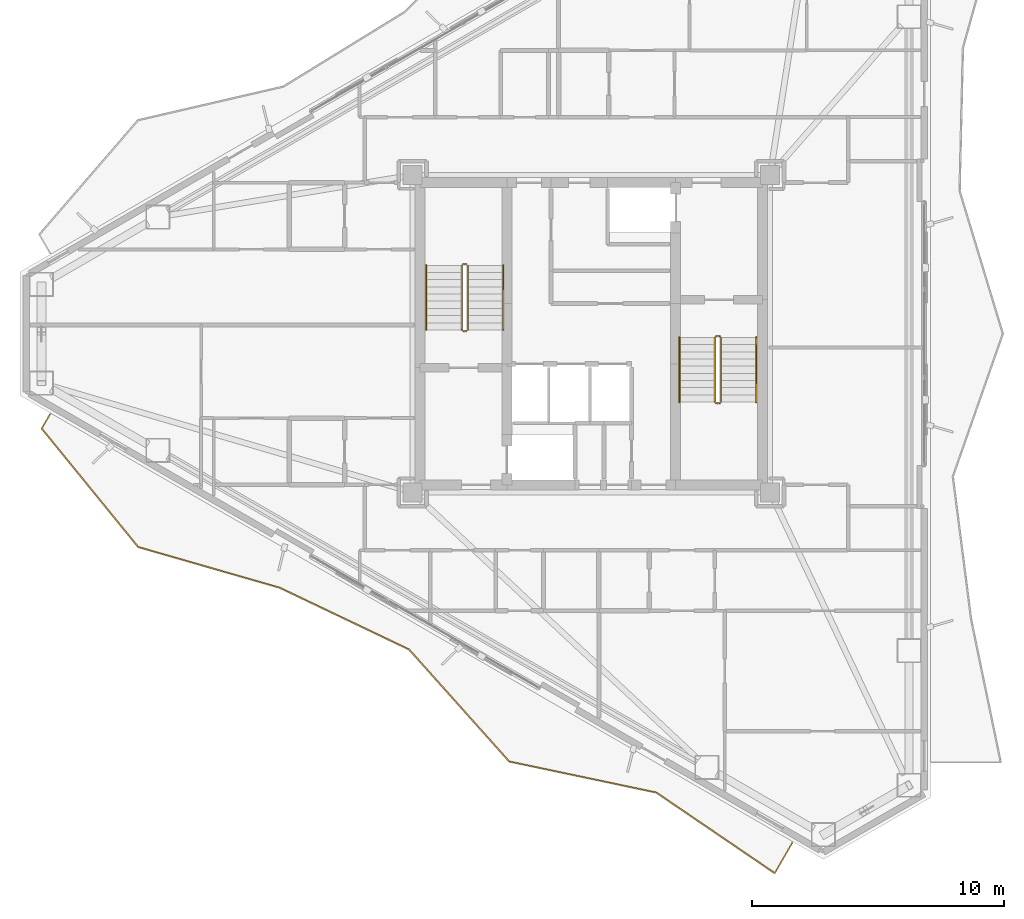
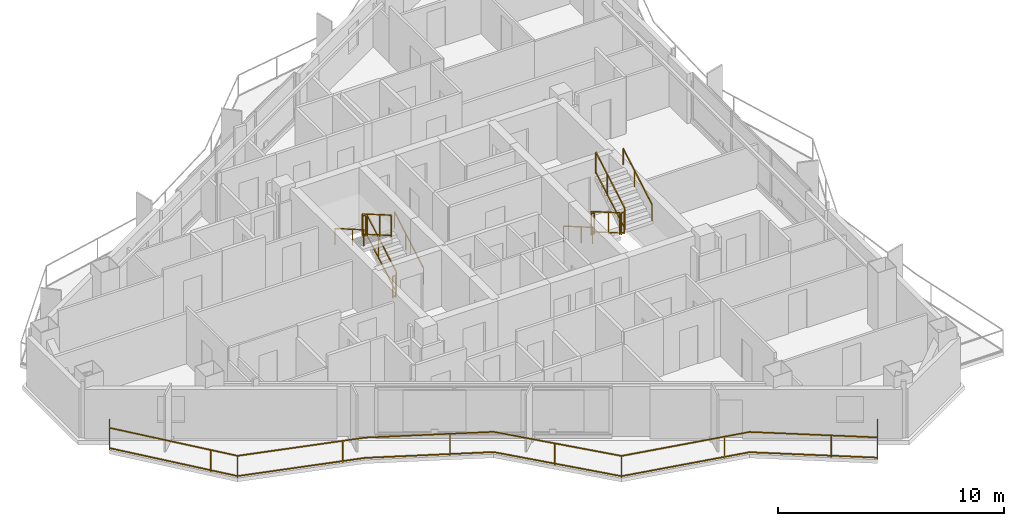
# One storey, part 18 of 19: 13 railings.
"""IFC4 building model written with IfcOpenShell, lengths in metres."""

from ifc_helpers import new_model, si_unit, direction, frame, origin, origin_2d, place, context, subcontext, project, spatial, rectangle, extrude, material, type_object, element, save


model = new_model("IFC4")

# Units and contexts
model_context = context("Model", 3, precision=1e-05, world=origin(), true_north=direction((0.0, 1.0)))
body_context = subcontext(model_context, "Body", "Model", "MODEL_VIEW")
ifc_project = project(units=[si_unit("LENGTHUNIT", "METRE"), si_unit("AREAUNIT", "SQUARE_METRE"), si_unit("VOLUMEUNIT", "CUBIC_METRE"), si_unit("PLANEANGLEUNIT", "RADIAN"), si_unit("MASSUNIT", "GRAM", prefix="KILO")], contexts=[model_context])

# Site, building, storey
site_placement = place(None, origin())
site = spatial("IfcSite", under=ifc_project, at=site_placement, CompositionType="ELEMENT")
building_placement = place(site_placement, origin())
building = spatial("IfcBuilding", under=site, at=building_placement, Name="Mersakhor Tower and Convention Hall", CompositionType="ELEMENT")
storey_placement = place(building_placement, frame((0.0, 0.0, 141.0)))
storey = spatial("IfcBuildingStorey", under=building, at=storey_placement, Name="L39", CompositionType="ELEMENT", Elevation=141.0)

# Railings
ifc_material_1 = material(Name="Powder-coated galvanised steel and laminated glass balustrade", Category="steel")
railing_type_1 = type_object("IfcRailingType", Name="RL-BAL-1200", PredefinedType="BALUSTRADE", material=ifc_material_1)
railing_1_placement = place(storey_placement, frame((7.497802734375, 23.5537109375, 0.0)))
element("IfcRailing", 1, at=railing_1_placement, inside=storey, type_object=railing_type_1, Name="L39 Sinusoidal Balcony Balustrade F3", PredefinedType="BALUSTRADE", context=body_context, shape_type="SweptSolid", body=[
    extrude(rectangle(XDim=0.048095703125, YDim=0.048095703125, at=origin_2d()), frame((0.0, 0.0, 1.17578125), z_axis=(-0.50017749597, -0.865922902183, 0.0), x_axis=(0.865922902183, -0.50017749597, 0.0)), (0.0, 0.0, 1.0), 0.650146484375),
    extrude(rectangle(XDim=0.048095703125, YDim=0.048095703125, at=origin_2d()), frame((0.0, 0.0, 0.080078125), z_axis=(-0.50017749597, -0.865922902183, 0.0), x_axis=(0.865922902183, -0.50017749597, 0.0)), (0.0, 0.0, 1.0), 0.650146484375),
    extrude(rectangle(XDim=0.048095703125, YDim=0.048095703125, at=origin_2d()), frame((-0.3251953125, -0.56298828125, 1.17578125), z_axis=(0.631418744754, -0.775442047334, 0.0), x_axis=(0.775442047334, 0.631418744754, 0.0)), (0.0, 0.0, 1.0), 6.072021484375),
    extrude(rectangle(XDim=0.048095703125, YDim=0.048095703125, at=origin_2d()), frame((-0.3251953125, -0.56298828125, 0.080078125), z_axis=(0.631418744754, -0.775442047334, 0.0), x_axis=(0.775442047334, 0.631418744754, 0.0)), (0.0, 0.0, 1.0), 6.072021484375),
    extrude(rectangle(XDim=0.048095703125, YDim=0.048095703125, at=origin_2d()), frame((3.5087890625, -5.271484375, 1.17578125), z_axis=(0.961033951293, -0.276430360963, 0.0), x_axis=(0.276430360963, 0.961033951293, 0.0)), (0.0, 0.0, 1.0), 5.8466796875),
    extrude(rectangle(XDim=0.048095703125, YDim=0.048095703125, at=origin_2d()), frame((3.5087890625, -5.271484375, 0.080078125), z_axis=(0.961033951293, -0.276430360963, 0.0), x_axis=(0.276430360963, 0.961033951293, 0.0)), (0.0, 0.0, 1.0), 5.8466796875),
    extrude(rectangle(XDim=0.048095703125, YDim=0.048095703125, at=origin_2d()), frame((9.127685546875, -6.8876953125, 1.17578125), z_axis=(0.902576503077, -0.430529506647, 0.0), x_axis=(0.430529506647, 0.902576503077, 0.0)), (0.0, 0.0, 1.0), 5.692138671875),
    extrude(rectangle(XDim=0.048095703125, YDim=0.048095703125, at=origin_2d()), frame((9.127685546875, -6.8876953125, 0.080078125), z_axis=(0.902576503077, -0.430529506647, 0.0), x_axis=(0.430529506647, 0.902576503077, 0.0)), (0.0, 0.0, 1.0), 5.692138671875),
    extrude(rectangle(XDim=0.048095703125, YDim=0.048095703125, at=origin_2d()), frame((14.265380859375, -9.33837890625, 1.17578125), z_axis=(0.666563043727, -0.745448662711, 0.0), x_axis=(0.745448662711, 0.666563043727, 0.0)), (0.0, 0.0, 1.0), 5.97314453125),
    extrude(rectangle(XDim=0.048095703125, YDim=0.048095703125, at=origin_2d()), frame((14.265380859375, -9.33837890625, 0.080078125), z_axis=(0.666563043727, -0.745448662711, 0.0), x_axis=(0.745448662711, 0.666563043727, 0.0)), (0.0, 0.0, 1.0), 5.97314453125),
    extrude(rectangle(XDim=0.048095703125, YDim=0.048095703125, at=origin_2d()), frame((18.246826171875, -13.791015625, 1.17578125), z_axis=(0.978474216071, -0.206369107389, 0.0), x_axis=(0.206369107389, 0.978474216071, 0.0)), (0.0, 0.0, 1.0), 5.969482421875),
    extrude(rectangle(XDim=0.048095703125, YDim=0.048095703125, at=origin_2d()), frame((18.246826171875, -13.791015625, 0.080078125), z_axis=(0.978474216071, -0.206369107389, 0.0), x_axis=(0.206369107389, 0.978474216071, 0.0)), (0.0, 0.0, 1.0), 5.969482421875),
    extrude(rectangle(XDim=0.048095703125, YDim=0.048095703125, at=origin_2d()), frame((24.087890625, -15.02294921875, 1.17578125), z_axis=(0.826711771249, -0.562625672431, 0.0), x_axis=(0.562625672431, 0.826711771249, 0.0)), (0.0, 0.0, 1.0), 5.690185546875),
    extrude(rectangle(XDim=0.048095703125, YDim=0.048095703125, at=origin_2d()), frame((24.087890625, -15.02294921875, 0.080078125), z_axis=(0.826711771249, -0.562625672431, 0.0), x_axis=(0.562625672431, 0.826711771249, 0.0)), (0.0, 0.0, 1.0), 5.690185546875),
    extrude(rectangle(XDim=0.048095703125, YDim=0.048095703125, at=origin_2d()), frame((28.7919921875, -18.224365234375, 1.17578125), z_axis=(0.499925626596, 0.866068339032, 0.0), x_axis=(-0.866068339032, 0.499925626596, 0.0)), (0.0, 0.0, 1.0), 1.386962890625),
    extrude(rectangle(XDim=0.048095703125, YDim=0.048095703125, at=origin_2d()), frame((28.7919921875, -18.224365234375, 0.080078125), z_axis=(0.499925626596, 0.866068339032, 0.0), x_axis=(-0.866068339032, 0.499925626596, 0.0)), (0.0, 0.0, 1.0), 1.386962890625),
    extrude(rectangle(XDim=0.0419921875, YDim=0.0419921875, at=origin_2d()), origin(), (0.0, 0.0, 1.0), 1.15185546875),
    extrude(rectangle(XDim=0.0419921875, YDim=0.0419921875, at=origin_2d()), frame((-0.3251953125, -0.56298828125, 0.0)), (0.0, 0.0, 1.0), 1.15185546875),
    extrude(rectangle(XDim=0.0419921875, YDim=0.0419921875, at=origin_2d()), frame((2.70556640625, -4.28515625, 0.0)), (0.0, 0.0, 1.0), 1.15185546875),
    extrude(rectangle(XDim=0.0419921875, YDim=0.0419921875, at=origin_2d()), frame((3.5087890625, -5.271484375, 0.0)), (0.0, 0.0, 1.0), 1.15185546875),
    extrude(rectangle(XDim=0.0419921875, YDim=0.0419921875, at=origin_2d()), frame((8.121826171875, -6.598388671875, 0.0)), (0.0, 0.0, 1.0), 1.15185546875),
    extrude(rectangle(XDim=0.0419921875, YDim=0.0419921875, at=origin_2d()), frame((12.515380859375, -8.503662109375, 0.0)), (0.0, 0.0, 1.0), 1.15185546875),
    extrude(rectangle(XDim=0.0419921875, YDim=0.0419921875, at=origin_2d()), frame((16.17236328125, -11.47119140625, 0.0)), (0.0, 0.0, 1.0), 1.15185546875),
    extrude(rectangle(XDim=0.0419921875, YDim=0.0419921875, at=origin_2d()), frame((18.246826171875, -13.791015625, 0.0)), (0.0, 0.0, 1.0), 1.15185546875),
    extrude(rectangle(XDim=0.0419921875, YDim=0.0419921875, at=origin_2d()), frame((22.943603515625, -14.781494140625, 0.0)), (0.0, 0.0, 1.0), 1.15185546875),
    extrude(rectangle(XDim=0.0419921875, YDim=0.0419921875, at=origin_2d()), frame((27.089111328125, -17.0654296875, 0.0)), (0.0, 0.0, 1.0), 1.15185546875),
    extrude(rectangle(XDim=0.0419921875, YDim=0.0419921875, at=origin_2d()), frame((28.7919921875, -18.224365234375, 0.0)), (0.0, 0.0, 1.0), 1.15185546875),
    extrude(rectangle(XDim=0.0419921875, YDim=0.0419921875, at=origin_2d()), frame((29.4853515625, -17.023193359375, 0.0)), (0.0, 0.0, 1.0), 1.15185546875),
])
ifc_material_2 = material(Name="Brushed stainless steel handrail", Category="steel")
railing_type_2 = type_object("IfcRailingType", Name="RL-HR-900", PredefinedType="HANDRAIL", material=ifc_material_2)
railing_2_placement = place(storey_placement, frame((25.5, 26.89990234375, 0.1650390625)))
element("IfcRailing", 2, at=railing_2_placement, inside=storey, type_object=railing_type_2, Name="L39 ST-1 stair handrail 1", PredefinedType="HANDRAIL", context=body_context, shape_type="SweptSolid", body=[
    extrude(rectangle(XDim=0.048095703125, YDim=0.048095703125, at=origin_2d()), frame((0.0, 0.0, 0.8759765625), z_axis=(0.0, 0.865461999751, 0.500974577186), x_axis=(-1.0, 0.0, 0.0)), (0.0, 0.0, 1.0), 2.9638671875),
    extrude(rectangle(XDim=0.0419921875, YDim=0.0419921875, at=origin_2d()), origin(), (0.0, 0.0, 1.0), 0.851806640625),
    extrude(rectangle(XDim=0.0419921875, YDim=0.0419921875, at=origin_2d()), frame((0.0, 1.557861328125, 0.90185546875)), (0.0, 0.0, 1.0), 0.851806640625),
    extrude(rectangle(XDim=0.0419921875, YDim=0.0419921875, at=origin_2d()), frame((0.0, 2.565185546875, 1.48486328125)), (0.0, 0.0, 1.0), 0.851806640625),
])
railing_3_placement = place(storey_placement, frame((22.449951171875, 29.465087890625, 1.81494140625)))
element("IfcRailing", 3, at=railing_3_placement, inside=storey, type_object=railing_type_2, Name="L39 ST-1 stair handrail 2", PredefinedType="HANDRAIL", context=body_context, shape_type="SweptSolid", body=[
    extrude(rectangle(XDim=0.048095703125, YDim=0.048095703125, at=origin_2d()), frame((0.0, 0.0, 0.8759765625), z_axis=(0.0, -0.865426285481, 0.501036270542), x_axis=(1.0, 0.0, 0.0)), (0.0, 0.0, 1.0), 2.964111328125),
    extrude(rectangle(XDim=0.0419921875, YDim=0.0419921875, at=origin_2d()), origin(), (0.0, 0.0, 1.0), 0.851806640625),
    extrude(rectangle(XDim=0.0419921875, YDim=0.0419921875, at=origin_2d()), frame((0.0, -1.557861328125, 0.90185546875)), (0.0, 0.0, 1.0), 0.851806640625),
    extrude(rectangle(XDim=0.0419921875, YDim=0.0419921875, at=origin_2d()), frame((0.0, -2.565185546875, 1.485107421875)), (0.0, 0.0, 1.0), 0.851806640625),
])
railing_4_placement = place(storey_placement, frame((32.5, 26.60009765625, 0.1650390625)))
element("IfcRailing", 4, at=railing_4_placement, inside=storey, type_object=railing_type_2, Name="L39 ST-2 stair handrail 1", PredefinedType="HANDRAIL", context=body_context, shape_type="SweptSolid", body=[
    extrude(rectangle(XDim=0.048095703125, YDim=0.048095703125, at=origin_2d()), frame((0.0, 0.0, 0.8759765625), z_axis=(0.0, -0.865461999751, 0.500974577186), x_axis=(1.0, 0.0, 0.0)), (0.0, 0.0, 1.0), 2.9638671875),
    extrude(rectangle(XDim=0.0419921875, YDim=0.0419921875, at=origin_2d()), origin(), (0.0, 0.0, 1.0), 0.851806640625),
    extrude(rectangle(XDim=0.0419921875, YDim=0.0419921875, at=origin_2d()), frame((0.0, -1.557861328125, 0.90185546875)), (0.0, 0.0, 1.0), 0.851806640625),
    extrude(rectangle(XDim=0.0419921875, YDim=0.0419921875, at=origin_2d()), frame((0.0, -2.565185546875, 1.48486328125)), (0.0, 0.0, 1.0), 0.851806640625),
])
railing_5_placement = place(storey_placement, frame((35.550048828125, 24.034912109375, 1.81494140625)))
element("IfcRailing", 5, at=railing_5_placement, inside=storey, type_object=railing_type_2, Name="L39 ST-2 stair handrail 2", PredefinedType="HANDRAIL", context=body_context, shape_type="SweptSolid", body=[
    extrude(rectangle(XDim=0.048095703125, YDim=0.048095703125, at=origin_2d()), frame((0.0, 0.0, 0.8759765625), z_axis=(0.0, 0.865426285481, 0.501036270542), x_axis=(-1.0, 0.0, 0.0)), (0.0, 0.0, 1.0), 2.964111328125),
    extrude(rectangle(XDim=0.0419921875, YDim=0.0419921875, at=origin_2d()), origin(), (0.0, 0.0, 1.0), 0.851806640625),
    extrude(rectangle(XDim=0.0419921875, YDim=0.0419921875, at=origin_2d()), frame((0.0, 1.557861328125, 0.90185546875)), (0.0, 0.0, 1.0), 0.851806640625),
    extrude(rectangle(XDim=0.0419921875, YDim=0.0419921875, at=origin_2d()), frame((0.0, 2.565185546875, 1.485107421875)), (0.0, 0.0, 1.0), 0.851806640625),
])
ifc_material_3 = material(Name="Painted steel stair balustrade S355", Category="steel")
railing_type_3 = type_object("IfcRailingType", Name="RL-STG-1200", PredefinedType="BALUSTRADE", material=ifc_material_3)
railing_6_placement = place(storey_placement, frame((24.10009765625, 26.89990234375, 0.1650390625)))
element("IfcRailing", 6, at=railing_6_placement, inside=storey, type_object=railing_type_3, Name="L39 ST-1 stair guard 1", PredefinedType="BALUSTRADE", context=body_context, shape_type="SweptSolid", body=[
    extrude(rectangle(XDim=0.048095703125, YDim=0.048095703125, at=origin_2d()), frame((0.0, 0.0, 1.17578125), z_axis=(0.0, 0.865461999751, 0.500974577186), x_axis=(-1.0, 0.0, 0.0)), (0.0, 0.0, 1.0), 2.9638671875),
    extrude(rectangle(XDim=0.048095703125, YDim=0.048095703125, at=origin_2d()), frame((0.0, 0.0, 0.080078125), z_axis=(0.0, 0.865461999751, 0.500974577186), x_axis=(-1.0, 0.0, 0.0)), (0.0, 0.0, 1.0), 2.9638671875),
    extrude(rectangle(XDim=0.0419921875, YDim=0.0419921875, at=origin_2d()), origin(), (0.0, 0.0, 1.0), 1.15185546875),
    extrude(rectangle(XDim=0.0419921875, YDim=0.0419921875, at=origin_2d()), frame((0.0, 1.557861328125, 0.90185546875)), (0.0, 0.0, 1.0), 1.15185546875),
    extrude(rectangle(XDim=0.0419921875, YDim=0.0419921875, at=origin_2d()), frame((0.0, 2.565185546875, 1.48486328125)), (0.0, 0.0, 1.0), 1.15185546875),
])
railing_7_placement = place(storey_placement, frame((24.050048828125, 29.514892578125, 1.64990234375)))
element("IfcRailing", 7, at=railing_7_placement, inside=storey, type_object=railing_type_3, Name="L39 ST-1 stair guard 2", PredefinedType="BALUSTRADE", context=body_context, shape_type="SweptSolid", body=[
    extrude(rectangle(XDim=0.048095703125, YDim=0.048095703125, at=origin_2d()), frame((0.0, 0.0, 1.17578125), z_axis=(-1.0, 0.0, 0.0), x_axis=(0.0, -1.0, 0.0)), (0.0, 0.0, 1.0), 0.150146484375),
    extrude(rectangle(XDim=0.048095703125, YDim=0.048095703125, at=origin_2d()), frame((0.0, 0.0, 0.080078125), z_axis=(-1.0, 0.0, 0.0), x_axis=(0.0, -1.0, 0.0)), (0.0, 0.0, 1.0), 0.150146484375),
    extrude(rectangle(XDim=0.0419921875, YDim=0.0419921875, at=origin_2d()), origin(), (0.0, 0.0, 1.0), 1.15185546875),
    extrude(rectangle(XDim=0.0419921875, YDim=0.0419921875, at=origin_2d()), frame((-0.150146484375, 0.0, 0.0)), (0.0, 0.0, 1.0), 1.15185546875),
])
railing_8_placement = place(storey_placement, frame((23.85009765625, 29.465087890625, 1.81494140625)))
element("IfcRailing", 8, at=railing_8_placement, inside=storey, type_object=railing_type_3, Name="L39 ST-1 stair guard 3", PredefinedType="BALUSTRADE", context=body_context, shape_type="SweptSolid", body=[
    extrude(rectangle(XDim=0.048095703125, YDim=0.048095703125, at=origin_2d()), frame((0.0, 0.0, 1.17578125), z_axis=(0.0, -0.865426285481, 0.501036270542), x_axis=(1.0, 0.0, 0.0)), (0.0, 0.0, 1.0), 2.964111328125),
    extrude(rectangle(XDim=0.048095703125, YDim=0.048095703125, at=origin_2d()), frame((0.0, 0.0, 0.080078125), z_axis=(0.0, -0.865426285481, 0.501036270542), x_axis=(1.0, 0.0, 0.0)), (0.0, 0.0, 1.0), 2.964111328125),
    extrude(rectangle(XDim=0.0419921875, YDim=0.0419921875, at=origin_2d()), origin(), (0.0, 0.0, 1.0), 1.15185546875),
    extrude(rectangle(XDim=0.0419921875, YDim=0.0419921875, at=origin_2d()), frame((0.0, -1.557861328125, 0.90185546875)), (0.0, 0.0, 1.0), 1.15185546875),
    extrude(rectangle(XDim=0.0419921875, YDim=0.0419921875, at=origin_2d()), frame((0.0, -2.565185546875, 1.485107421875)), (0.0, 0.0, 1.0), 1.15185546875),
])
railing_9_placement = place(storey_placement, frame((24.050048828125, 26.85009765625, 0.0)))
element("IfcRailing", 9, at=railing_9_placement, inside=storey, type_object=railing_type_3, Name="L39 ST-1 stair guard 4", PredefinedType="BALUSTRADE", context=body_context, shape_type="SweptSolid", body=[
    extrude(rectangle(XDim=0.048095703125, YDim=0.048095703125, at=origin_2d()), frame((0.0, 0.0, 1.17578125), z_axis=(-1.0, 0.0, 0.0), x_axis=(0.0, -1.0, 0.0)), (0.0, 0.0, 1.0), 0.150146484375),
    extrude(rectangle(XDim=0.048095703125, YDim=0.048095703125, at=origin_2d()), frame((0.0, 0.0, 0.080078125), z_axis=(-1.0, 0.0, 0.0), x_axis=(0.0, -1.0, 0.0)), (0.0, 0.0, 1.0), 0.150146484375),
    extrude(rectangle(XDim=0.0419921875, YDim=0.0419921875, at=origin_2d()), origin(), (0.0, 0.0, 1.0), 1.15185546875),
    extrude(rectangle(XDim=0.0419921875, YDim=0.0419921875, at=origin_2d()), frame((-0.150146484375, 0.0, 0.0)), (0.0, 0.0, 1.0), 1.15185546875),
])
railing_10_placement = place(storey_placement, frame((33.89990234375, 26.60009765625, 0.1650390625)))
element("IfcRailing", 10, at=railing_10_placement, inside=storey, type_object=railing_type_3, Name="L39 ST-2 stair guard 1", PredefinedType="BALUSTRADE", context=body_context, shape_type="SweptSolid", body=[
    extrude(rectangle(XDim=0.048095703125, YDim=0.048095703125, at=origin_2d()), frame((0.0, 0.0, 1.17578125), z_axis=(0.0, -0.865461999751, 0.500974577186), x_axis=(1.0, 0.0, 0.0)), (0.0, 0.0, 1.0), 2.9638671875),
    extrude(rectangle(XDim=0.048095703125, YDim=0.048095703125, at=origin_2d()), frame((0.0, 0.0, 0.080078125), z_axis=(0.0, -0.865461999751, 0.500974577186), x_axis=(1.0, 0.0, 0.0)), (0.0, 0.0, 1.0), 2.9638671875),
    extrude(rectangle(XDim=0.0419921875, YDim=0.0419921875, at=origin_2d()), origin(), (0.0, 0.0, 1.0), 1.15185546875),
    extrude(rectangle(XDim=0.0419921875, YDim=0.0419921875, at=origin_2d()), frame((0.0, -1.557861328125, 0.90185546875)), (0.0, 0.0, 1.0), 1.15185546875),
    extrude(rectangle(XDim=0.0419921875, YDim=0.0419921875, at=origin_2d()), frame((0.0, -2.565185546875, 1.48486328125)), (0.0, 0.0, 1.0), 1.15185546875),
])
railing_11_placement = place(storey_placement, frame((33.949951171875, 23.985107421875, 1.64990234375)))
element("IfcRailing", 11, at=railing_11_placement, inside=storey, type_object=railing_type_3, Name="L39 ST-2 stair guard 2", PredefinedType="BALUSTRADE", context=body_context, shape_type="SweptSolid", body=[
    extrude(rectangle(XDim=0.048095703125, YDim=0.048095703125, at=origin_2d()), frame((0.0, 0.0, 1.17578125), z_axis=(1.0, 0.0, 0.0), x_axis=(0.0, 1.0, 0.0)), (0.0, 0.0, 1.0), 0.150146484375),
    extrude(rectangle(XDim=0.048095703125, YDim=0.048095703125, at=origin_2d()), frame((0.0, 0.0, 0.080078125), z_axis=(1.0, 0.0, 0.0), x_axis=(0.0, 1.0, 0.0)), (0.0, 0.0, 1.0), 0.150146484375),
    extrude(rectangle(XDim=0.0419921875, YDim=0.0419921875, at=origin_2d()), origin(), (0.0, 0.0, 1.0), 1.15185546875),
    extrude(rectangle(XDim=0.0419921875, YDim=0.0419921875, at=origin_2d()), frame((0.150146484375, 0.0, 0.0)), (0.0, 0.0, 1.0), 1.15185546875),
])
railing_12_placement = place(storey_placement, frame((34.14990234375, 24.034912109375, 1.81494140625)))
element("IfcRailing", 12, at=railing_12_placement, inside=storey, type_object=railing_type_3, Name="L39 ST-2 stair guard 3", PredefinedType="BALUSTRADE", context=body_context, shape_type="SweptSolid", body=[
    extrude(rectangle(XDim=0.048095703125, YDim=0.048095703125, at=origin_2d()), frame((0.0, 0.0, 1.17578125), z_axis=(0.0, 0.865426285481, 0.501036270542), x_axis=(-1.0, 0.0, 0.0)), (0.0, 0.0, 1.0), 2.964111328125),
    extrude(rectangle(XDim=0.048095703125, YDim=0.048095703125, at=origin_2d()), frame((0.0, 0.0, 0.080078125), z_axis=(0.0, 0.865426285481, 0.501036270542), x_axis=(-1.0, 0.0, 0.0)), (0.0, 0.0, 1.0), 2.964111328125),
    extrude(rectangle(XDim=0.0419921875, YDim=0.0419921875, at=origin_2d()), origin(), (0.0, 0.0, 1.0), 1.15185546875),
    extrude(rectangle(XDim=0.0419921875, YDim=0.0419921875, at=origin_2d()), frame((0.0, 1.557861328125, 0.90185546875)), (0.0, 0.0, 1.0), 1.15185546875),
    extrude(rectangle(XDim=0.0419921875, YDim=0.0419921875, at=origin_2d()), frame((0.0, 2.565185546875, 1.485107421875)), (0.0, 0.0, 1.0), 1.15185546875),
])
railing_13_placement = place(storey_placement, frame((33.949951171875, 26.64990234375, 0.0)))
element("IfcRailing", 13, at=railing_13_placement, inside=storey, type_object=railing_type_3, Name="L39 ST-2 stair guard 4", PredefinedType="BALUSTRADE", context=body_context, shape_type="SweptSolid", body=[
    extrude(rectangle(XDim=0.048095703125, YDim=0.048095703125, at=origin_2d()), frame((0.0, 0.0, 1.17578125), z_axis=(1.0, 0.0, 0.0), x_axis=(0.0, 1.0, 0.0)), (0.0, 0.0, 1.0), 0.150146484375),
    extrude(rectangle(XDim=0.048095703125, YDim=0.048095703125, at=origin_2d()), frame((0.0, 0.0, 0.080078125), z_axis=(1.0, 0.0, 0.0), x_axis=(0.0, 1.0, 0.0)), (0.0, 0.0, 1.0), 0.150146484375),
    extrude(rectangle(XDim=0.0419921875, YDim=0.0419921875, at=origin_2d()), origin(), (0.0, 0.0, 1.0), 1.15185546875),
    extrude(rectangle(XDim=0.0419921875, YDim=0.0419921875, at=origin_2d()), frame((0.150146484375, 0.0, 0.0)), (0.0, 0.0, 1.0), 1.15185546875),
])

save(model, "model.ifc")
